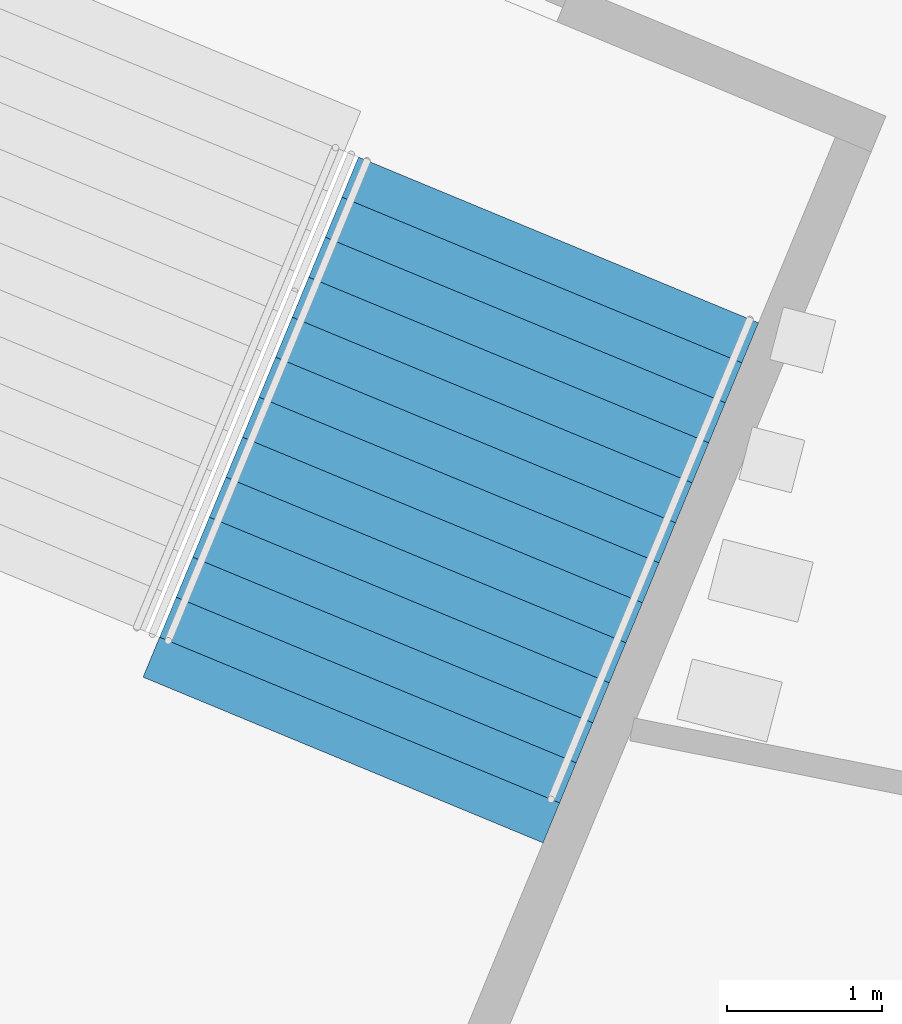
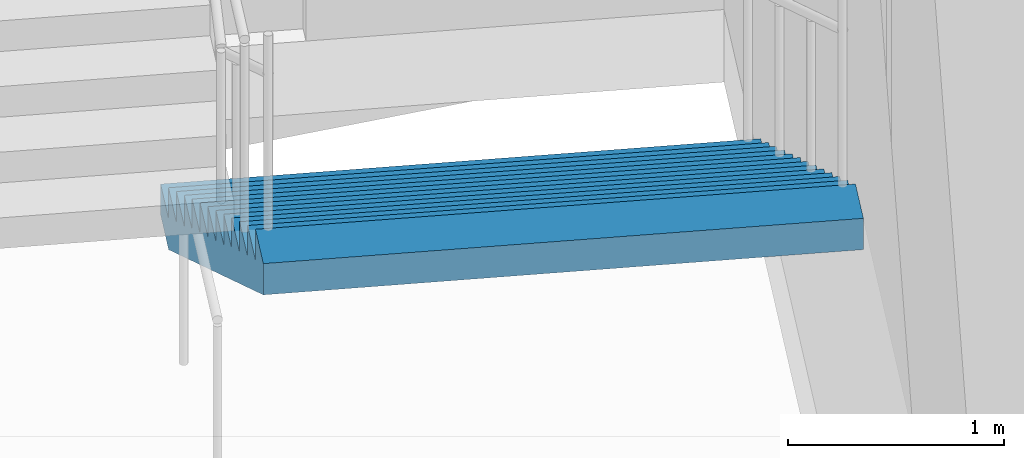
# One storey, part 86 of 177: 1 stair flight, 1 element without a shape of its own.
"""IFC4 building model written with IfcOpenShell, lengths in metres."""

from ifc_helpers import new_model, si_unit, direction, frame, origin, place, context, subcontext, project, spatial, faceted_brep, material, type_object, element, aggregate, save


model = new_model("IFC4")

# Units and contexts
model_context = context("Model", 3, precision=1e-05, world=origin(), true_north=direction((0.0, 1.0)))
body_context = subcontext(model_context, "Body", "Model", "MODEL_VIEW")
ifc_project = project(units=[si_unit("LENGTHUNIT", "METRE"), si_unit("AREAUNIT", "SQUARE_METRE"), si_unit("VOLUMEUNIT", "CUBIC_METRE"), si_unit("PLANEANGLEUNIT", "RADIAN"), si_unit("MASSUNIT", "GRAM", prefix="KILO")], contexts=[model_context])

# Site, building, storey
site_placement = place(None, origin())
site = spatial("IfcSite", under=ifc_project, at=site_placement, CompositionType="ELEMENT")
building_placement = place(site_placement, origin())
building = spatial("IfcBuilding", under=site, at=building_placement, Name="Ogive Plaza Stadium", CompositionType="ELEMENT")
storey_placement = place(building_placement, frame((0.0, 0.0, 18.0)))
storey = spatial("IfcBuildingStorey", under=building, at=storey_placement, Name="L04", CompositionType="ELEMENT", Elevation=18.0)

# Stair, stair flight
ifc_material_1 = material(Name="Concrete C40/50", Category="concrete")
stair_type = type_object("IfcStairType", Name="Exit stair", PredefinedType="STRAIGHT_RUN_STAIR", material=ifc_material_1)
stair_placement = place(storey_placement, origin())
stair = element("IfcStair", 1, at=stair_placement, inside=storey, type_object=stair_type, Name="Exit stair ST18B L04 to L05", PredefinedType="STRAIGHT_RUN_STAIR")
ifc_material_2 = material(Name="Concrete C40/50", Category="concrete")
stair_flight_type = type_object("IfcStairFlightType", Name="Exit stair flight", PredefinedType="STRAIGHT", material=ifc_material_2)
stair_flight_placement = place(storey_placement, frame((-46.118408203125, -93.319580078125, 0.0), z_axis=(0.0, 0.0, 1.0), x_axis=(-0.382683432365, -0.923879532511, 0.0)))
stair_flight = element("IfcStairFlight", 2, at=stair_flight_placement, type_object=stair_flight_type, Name="ST18B flight 1", NumberOfRisers=13, NumberOfTreads=12, PredefinedType="STRAIGHT", RiserHeight=0.173076923, TreadLength=0.28, context=body_context, shape_type="Brep", body=[
    faceted_brep([(0.28515625, -1.39990234375, 0.0), (3.639892578125, -1.39990234375, 2.07373046875), (3.639892578125, -1.39990234375, 2.25), (3.360107421875, -1.39990234375, 2.25), (3.360107421875, -1.39990234375, 2.076904296875), (3.080078125, -1.39990234375, 2.076904296875), (3.080078125, -1.39990234375, 1.90380859375), (2.800048828125, -1.39990234375, 1.90380859375), (2.800048828125, -1.39990234375, 1.730712890625), (2.52001953125, -1.39990234375, 1.730712890625), (2.52001953125, -1.39990234375, 1.5576171875), (2.239990234375, -1.39990234375, 1.5576171875), (2.239990234375, -1.39990234375, 1.384521484375), (1.9599609375, -1.39990234375, 1.384521484375), (1.9599609375, -1.39990234375, 1.21142578125), (1.679931640625, -1.39990234375, 1.21142578125), (1.679931640625, -1.39990234375, 1.03857421875), (1.39990234375, -1.39990234375, 1.03857421875), (1.39990234375, -1.39990234375, 0.865478515625), (1.1201171875, -1.39990234375, 0.865478515625), (1.1201171875, -1.39990234375, 0.6923828125), (0.840087890625, -1.39990234375, 0.6923828125), (0.840087890625, -1.39990234375, 0.519287109375), (0.56005859375, -1.39990234375, 0.519287109375), (0.56005859375, -1.39990234375, 0.34619140625), (0.280029296875, -1.39990234375, 0.34619140625), (0.280029296875, -1.39990234375, 0.173095703125), (0.0, -1.39990234375, 0.173095703125), (0.0, -1.39990234375, 0.0), (0.0, 1.39990234375, 0.0), (0.0, 1.39990234375, 0.173095703125), (0.280029296875, 1.39990234375, 0.173095703125), (0.280029296875, 1.39990234375, 0.34619140625), (0.56005859375, 1.39990234375, 0.34619140625), (0.56005859375, 1.39990234375, 0.519287109375), (0.840087890625, 1.39990234375, 0.519287109375), (0.840087890625, 1.39990234375, 0.6923828125), (1.1201171875, 1.39990234375, 0.6923828125), (1.1201171875, 1.39990234375, 0.865478515625), (1.39990234375, 1.39990234375, 0.865478515625), (1.39990234375, 1.39990234375, 1.03857421875), (1.679931640625, 1.39990234375, 1.03857421875), (1.679931640625, 1.39990234375, 1.21142578125), (1.9599609375, 1.39990234375, 1.21142578125), (1.9599609375, 1.39990234375, 1.384521484375), (2.239990234375, 1.39990234375, 1.384521484375), (2.239990234375, 1.39990234375, 1.5576171875), (2.52001953125, 1.39990234375, 1.5576171875), (2.52001953125, 1.39990234375, 1.730712890625), (2.800048828125, 1.39990234375, 1.730712890625), (2.800048828125, 1.39990234375, 1.90380859375), (3.080078125, 1.39990234375, 1.90380859375), (3.080078125, 1.39990234375, 2.076904296875), (3.360107421875, 1.39990234375, 2.076904296875), (3.360107421875, 1.39990234375, 2.25), (3.639892578125, 1.39990234375, 2.25), (3.639892578125, 1.39990234375, 2.07373046875), (0.28515625, 1.39990234375, 0.0), (0.28515625, -1.0888671875, 0.0), (3.639892578125, -1.0888671875, 2.07373046875), (0.28515625, -0.77783203125, 0.0), (3.639892578125, -0.77783203125, 2.07373046875), (0.28515625, -0.466796875, 0.0), (3.639892578125, -0.466796875, 2.07373046875), (0.28515625, -0.155517578125, 0.0), (3.639892578125, -0.155517578125, 2.07373046875), (0.28515625, 0.155517578125, 0.0), (3.639892578125, 0.155517578125, 2.07373046875), (0.28515625, 0.466796875, 0.0), (3.639892578125, 0.466796875, 2.07373046875), (0.28515625, 0.77783203125, 0.0), (3.639892578125, 0.77783203125, 2.07373046875), (0.28515625, 1.0888671875, 0.0), (3.639892578125, 1.0888671875, 2.07373046875), (3.639892578125, -1.0888671875, 2.25), (3.639892578125, -0.77783203125, 2.25), (3.639892578125, -0.466796875, 2.25), (3.639892578125, -0.155517578125, 2.25), (3.639892578125, 0.155517578125, 2.25), (3.639892578125, 0.466796875, 2.25), (3.639892578125, 0.77783203125, 2.25), (3.639892578125, 1.0888671875, 2.25), (3.360107421875, -1.0888671875, 2.25), (3.360107421875, -0.77783203125, 2.25), (3.360107421875, -0.466796875, 2.25), (3.360107421875, -0.155517578125, 2.25), (3.360107421875, 0.155517578125, 2.25), (3.360107421875, 0.466796875, 2.25), (3.360107421875, 0.77783203125, 2.25), (3.360107421875, 1.0888671875, 2.25), (3.360107421875, -1.0888671875, 2.076904296875), (3.360107421875, -0.77783203125, 2.076904296875), (3.360107421875, -0.466796875, 2.076904296875), (3.360107421875, -0.155517578125, 2.076904296875), (3.360107421875, 0.155517578125, 2.076904296875), (3.360107421875, 0.466796875, 2.076904296875), (3.360107421875, 0.77783203125, 2.076904296875), (3.360107421875, 1.0888671875, 2.076904296875), (3.080078125, -1.0888671875, 2.076904296875), (3.080078125, -0.77783203125, 2.076904296875), (3.080078125, -0.466796875, 2.076904296875), (3.080078125, -0.155517578125, 2.076904296875), (3.080078125, 0.155517578125, 2.076904296875), (3.080078125, 0.466796875, 2.076904296875), (3.080078125, 0.77783203125, 2.076904296875), (3.080078125, 1.0888671875, 2.076904296875), (3.080078125, -1.0888671875, 1.90380859375), (3.080078125, -0.77783203125, 1.90380859375), (3.080078125, -0.466796875, 1.90380859375), (3.080078125, -0.155517578125, 1.90380859375), (3.080078125, 0.155517578125, 1.90380859375), (3.080078125, 0.466796875, 1.90380859375), (3.080078125, 0.77783203125, 1.90380859375), (3.080078125, 1.0888671875, 1.90380859375), (2.800048828125, -1.0888671875, 1.90380859375), (2.800048828125, -0.77783203125, 1.90380859375), (2.800048828125, -0.466796875, 1.90380859375), (2.800048828125, -0.155517578125, 1.90380859375), (2.800048828125, 0.155517578125, 1.90380859375), (2.800048828125, 0.466796875, 1.90380859375), (2.800048828125, 0.77783203125, 1.90380859375), (2.800048828125, 1.0888671875, 1.90380859375), (2.800048828125, -1.0888671875, 1.730712890625), (2.800048828125, -0.77783203125, 1.730712890625), (2.800048828125, -0.466796875, 1.730712890625), (2.800048828125, -0.155517578125, 1.730712890625), (2.800048828125, 0.155517578125, 1.730712890625), (2.800048828125, 0.466796875, 1.730712890625), (2.800048828125, 0.77783203125, 1.730712890625), (2.800048828125, 1.0888671875, 1.730712890625), (2.52001953125, -1.0888671875, 1.730712890625), (2.52001953125, -0.77783203125, 1.730712890625), (2.52001953125, -0.466796875, 1.730712890625), (2.52001953125, -0.155517578125, 1.730712890625), (2.52001953125, 0.155517578125, 1.730712890625), (2.52001953125, 0.466796875, 1.730712890625), (2.52001953125, 0.77783203125, 1.730712890625), (2.52001953125, 1.0888671875, 1.730712890625), (2.52001953125, -1.0888671875, 1.5576171875), (2.52001953125, -0.77783203125, 1.5576171875), (2.52001953125, -0.466796875, 1.5576171875), (2.52001953125, -0.155517578125, 1.5576171875), (2.52001953125, 0.155517578125, 1.5576171875), (2.52001953125, 0.466796875, 1.5576171875), (2.52001953125, 0.77783203125, 1.5576171875), (2.52001953125, 1.0888671875, 1.5576171875), (2.239990234375, -1.0888671875, 1.5576171875), (2.239990234375, -0.77783203125, 1.5576171875), (2.239990234375, -0.466796875, 1.5576171875), (2.239990234375, -0.155517578125, 1.5576171875), (2.239990234375, 0.155517578125, 1.5576171875), (2.239990234375, 0.466796875, 1.5576171875), (2.239990234375, 0.77783203125, 1.5576171875), (2.239990234375, 1.0888671875, 1.5576171875), (2.239990234375, -1.0888671875, 1.384521484375), (2.239990234375, -0.77783203125, 1.384521484375), (2.239990234375, -0.466796875, 1.384521484375), (2.239990234375, -0.155517578125, 1.384521484375), (2.239990234375, 0.155517578125, 1.384521484375), (2.239990234375, 0.466796875, 1.384521484375), (2.239990234375, 0.77783203125, 1.384521484375), (2.239990234375, 1.0888671875, 1.384521484375), (1.9599609375, -1.0888671875, 1.384521484375), (1.9599609375, -0.77783203125, 1.384521484375), (1.9599609375, -0.466796875, 1.384521484375), (1.9599609375, -0.155517578125, 1.384521484375), (1.9599609375, 0.155517578125, 1.384521484375), (1.9599609375, 0.466796875, 1.384521484375), (1.9599609375, 0.77783203125, 1.384521484375), (1.9599609375, 1.0888671875, 1.384521484375), (1.9599609375, -1.0888671875, 1.21142578125), (1.9599609375, -0.77783203125, 1.21142578125), (1.9599609375, -0.466796875, 1.21142578125), (1.9599609375, -0.155517578125, 1.21142578125), (1.9599609375, 0.155517578125, 1.21142578125), (1.9599609375, 0.466796875, 1.21142578125), (1.9599609375, 0.77783203125, 1.21142578125), (1.9599609375, 1.0888671875, 1.21142578125), (1.679931640625, -1.0888671875, 1.21142578125), (1.679931640625, -0.77783203125, 1.21142578125), (1.679931640625, -0.466796875, 1.21142578125), (1.679931640625, -0.155517578125, 1.21142578125), (1.679931640625, 0.155517578125, 1.21142578125), (1.679931640625, 0.466796875, 1.21142578125), (1.679931640625, 0.77783203125, 1.21142578125), (1.679931640625, 1.0888671875, 1.21142578125), (1.679931640625, -1.0888671875, 1.03857421875), (1.679931640625, -0.77783203125, 1.03857421875), (1.679931640625, -0.466796875, 1.03857421875), (1.679931640625, -0.155517578125, 1.03857421875), (1.679931640625, 0.155517578125, 1.03857421875), (1.679931640625, 0.466796875, 1.03857421875), (1.679931640625, 0.77783203125, 1.03857421875), (1.679931640625, 1.0888671875, 1.03857421875), (1.39990234375, -1.0888671875, 1.03857421875), (1.39990234375, -0.77783203125, 1.03857421875), (1.39990234375, -0.466796875, 1.03857421875), (1.39990234375, -0.155517578125, 1.03857421875), (1.39990234375, 0.155517578125, 1.03857421875), (1.39990234375, 0.466796875, 1.03857421875), (1.39990234375, 0.77783203125, 1.03857421875), (1.39990234375, 1.0888671875, 1.03857421875), (1.39990234375, -1.0888671875, 0.865478515625), (1.39990234375, -0.77783203125, 0.865478515625), (1.39990234375, -0.466796875, 0.865478515625), (1.39990234375, -0.155517578125, 0.865478515625), (1.39990234375, 0.155517578125, 0.865478515625), (1.39990234375, 0.466796875, 0.865478515625), (1.39990234375, 0.77783203125, 0.865478515625), (1.39990234375, 1.0888671875, 0.865478515625), (1.1201171875, -1.0888671875, 0.865478515625), (1.1201171875, -0.77783203125, 0.865478515625), (1.1201171875, -0.466796875, 0.865478515625), (1.1201171875, -0.155517578125, 0.865478515625), (1.1201171875, 0.155517578125, 0.865478515625), (1.1201171875, 0.466796875, 0.865478515625), (1.1201171875, 0.77783203125, 0.865478515625), (1.1201171875, 1.0888671875, 0.865478515625), (1.1201171875, -1.0888671875, 0.6923828125), (1.1201171875, -0.77783203125, 0.6923828125), (1.1201171875, -0.466796875, 0.6923828125), (1.1201171875, -0.155517578125, 0.6923828125), (1.1201171875, 0.155517578125, 0.6923828125), (1.1201171875, 0.466796875, 0.6923828125), (1.1201171875, 0.77783203125, 0.6923828125), (1.1201171875, 1.0888671875, 0.6923828125), (0.840087890625, -1.0888671875, 0.6923828125), (0.840087890625, -0.77783203125, 0.6923828125), (0.840087890625, -0.466796875, 0.6923828125), (0.840087890625, -0.155517578125, 0.6923828125), (0.840087890625, 0.155517578125, 0.6923828125), (0.840087890625, 0.466796875, 0.6923828125), (0.840087890625, 0.77783203125, 0.6923828125), (0.840087890625, 1.0888671875, 0.6923828125), (0.840087890625, -1.0888671875, 0.519287109375), (0.840087890625, -0.77783203125, 0.519287109375), (0.840087890625, -0.466796875, 0.519287109375), (0.840087890625, -0.155517578125, 0.519287109375), (0.840087890625, 0.155517578125, 0.519287109375), (0.840087890625, 0.466796875, 0.519287109375), (0.840087890625, 0.77783203125, 0.519287109375), (0.840087890625, 1.0888671875, 0.519287109375), (0.56005859375, -1.0888671875, 0.519287109375), (0.56005859375, -0.77783203125, 0.519287109375), (0.56005859375, -0.466796875, 0.519287109375), (0.56005859375, -0.155517578125, 0.519287109375), (0.56005859375, 0.155517578125, 0.519287109375), (0.56005859375, 0.466796875, 0.519287109375), (0.56005859375, 0.77783203125, 0.519287109375), (0.56005859375, 1.0888671875, 0.519287109375), (0.56005859375, -1.0888671875, 0.34619140625), (0.56005859375, -0.77783203125, 0.34619140625), (0.56005859375, -0.466796875, 0.34619140625), (0.56005859375, -0.155517578125, 0.34619140625), (0.56005859375, 0.155517578125, 0.34619140625), (0.56005859375, 0.466796875, 0.34619140625), (0.56005859375, 0.77783203125, 0.34619140625), (0.56005859375, 1.0888671875, 0.34619140625), (0.280029296875, -1.0888671875, 0.34619140625), (0.280029296875, -0.77783203125, 0.34619140625), (0.280029296875, -0.466796875, 0.34619140625), (0.280029296875, -0.155517578125, 0.34619140625), (0.280029296875, 0.155517578125, 0.34619140625), (0.280029296875, 0.466796875, 0.34619140625), (0.280029296875, 0.77783203125, 0.34619140625), (0.280029296875, 1.0888671875, 0.34619140625), (0.280029296875, -1.0888671875, 0.173095703125), (0.280029296875, -0.77783203125, 0.173095703125), (0.280029296875, -0.466796875, 0.173095703125), (0.280029296875, -0.155517578125, 0.173095703125), (0.280029296875, 0.155517578125, 0.173095703125), (0.280029296875, 0.466796875, 0.173095703125), (0.280029296875, 0.77783203125, 0.173095703125), (0.280029296875, 1.0888671875, 0.173095703125), (0.0, -1.0888671875, 0.173095703125), (0.0, -0.77783203125, 0.173095703125), (0.0, -0.466796875, 0.173095703125), (0.0, -0.155517578125, 0.173095703125), (0.0, 0.155517578125, 0.173095703125), (0.0, 0.466796875, 0.173095703125), (0.0, 0.77783203125, 0.173095703125), (0.0, 1.0888671875, 0.173095703125), (0.0, -1.0888671875, 0.0), (0.0, -0.77783203125, 0.0), (0.0, -0.466796875, 0.0), (0.0, -0.155517578125, 0.0), (0.0, 0.155517578125, 0.0), (0.0, 0.466796875, 0.0), (0.0, 0.77783203125, 0.0), (0.0, 1.0888671875, 0.0)], [[[0, 1, 2, 3, 4, 5, 6, 7, 8, 9, 10, 11, 12, 13, 14, 15, 16, 17, 18, 19, 20, 21, 22, 23, 24, 25, 26, 27, 28]], [[29, 30, 31, 32, 33, 34, 35, 36, 37, 38, 39, 40, 41, 42, 43, 44, 45, 46, 47, 48, 49, 50, 51, 52, 53, 54, 55, 56, 57]], [[0, 58, 59, 1]], [[58, 60, 61, 59]], [[60, 62, 63, 61]], [[62, 64, 65, 63]], [[64, 66, 67, 65]], [[66, 68, 69, 67]], [[68, 70, 71, 69]], [[70, 72, 73, 71]], [[72, 57, 56, 73]], [[1, 59, 74, 2]], [[59, 61, 75, 74]], [[61, 63, 76, 75]], [[63, 65, 77, 76]], [[65, 67, 78, 77]], [[67, 69, 79, 78]], [[69, 71, 80, 79]], [[71, 73, 81, 80]], [[73, 56, 55, 81]], [[2, 74, 82, 3]], [[74, 75, 83, 82]], [[75, 76, 84, 83]], [[76, 77, 85, 84]], [[77, 78, 86, 85]], [[78, 79, 87, 86]], [[79, 80, 88, 87]], [[80, 81, 89, 88]], [[81, 55, 54, 89]], [[3, 82, 90, 4]], [[82, 83, 91, 90]], [[83, 84, 92, 91]], [[84, 85, 93, 92]], [[85, 86, 94, 93]], [[86, 87, 95, 94]], [[87, 88, 96, 95]], [[88, 89, 97, 96]], [[89, 54, 53, 97]], [[4, 90, 98, 5]], [[90, 91, 99, 98]], [[91, 92, 100, 99]], [[92, 93, 101, 100]], [[93, 94, 102, 101]], [[94, 95, 103, 102]], [[95, 96, 104, 103]], [[96, 97, 105, 104]], [[97, 53, 52, 105]], [[5, 98, 106, 6]], [[98, 99, 107, 106]], [[99, 100, 108, 107]], [[100, 101, 109, 108]], [[101, 102, 110, 109]], [[102, 103, 111, 110]], [[103, 104, 112, 111]], [[104, 105, 113, 112]], [[105, 52, 51, 113]], [[6, 106, 114, 7]], [[106, 107, 115, 114]], [[107, 108, 116, 115]], [[108, 109, 117, 116]], [[109, 110, 118, 117]], [[110, 111, 119, 118]], [[111, 112, 120, 119]], [[112, 113, 121, 120]], [[113, 51, 50, 121]], [[7, 114, 122, 8]], [[114, 115, 123, 122]], [[115, 116, 124, 123]], [[116, 117, 125, 124]], [[117, 118, 126, 125]], [[118, 119, 127, 126]], [[119, 120, 128, 127]], [[120, 121, 129, 128]], [[121, 50, 49, 129]], [[8, 122, 130, 9]], [[122, 123, 131, 130]], [[123, 124, 132, 131]], [[124, 125, 133, 132]], [[125, 126, 134, 133]], [[126, 127, 135, 134]], [[127, 128, 136, 135]], [[128, 129, 137, 136]], [[129, 49, 48, 137]], [[9, 130, 138, 10]], [[130, 131, 139, 138]], [[131, 132, 140, 139]], [[132, 133, 141, 140]], [[133, 134, 142, 141]], [[134, 135, 143, 142]], [[135, 136, 144, 143]], [[136, 137, 145, 144]], [[137, 48, 47, 145]], [[10, 138, 146, 11]], [[138, 139, 147, 146]], [[139, 140, 148, 147]], [[140, 141, 149, 148]], [[141, 142, 150, 149]], [[142, 143, 151, 150]], [[143, 144, 152, 151]], [[144, 145, 153, 152]], [[145, 47, 46, 153]], [[11, 146, 154, 12]], [[146, 147, 155, 154]], [[147, 148, 156, 155]], [[148, 149, 157, 156]], [[149, 150, 158, 157]], [[150, 151, 159, 158]], [[151, 152, 160, 159]], [[152, 153, 161, 160]], [[153, 46, 45, 161]], [[12, 154, 162, 13]], [[154, 155, 163, 162]], [[155, 156, 164, 163]], [[156, 157, 165, 164]], [[157, 158, 166, 165]], [[158, 159, 167, 166]], [[159, 160, 168, 167]], [[160, 161, 169, 168]], [[161, 45, 44, 169]], [[13, 162, 170, 14]], [[162, 163, 171, 170]], [[163, 164, 172, 171]], [[164, 165, 173, 172]], [[165, 166, 174, 173]], [[166, 167, 175, 174]], [[167, 168, 176, 175]], [[168, 169, 177, 176]], [[169, 44, 43, 177]], [[14, 170, 178, 15]], [[170, 171, 179, 178]], [[171, 172, 180, 179]], [[172, 173, 181, 180]], [[173, 174, 182, 181]], [[174, 175, 183, 182]], [[175, 176, 184, 183]], [[176, 177, 185, 184]], [[177, 43, 42, 185]], [[15, 178, 186, 16]], [[178, 179, 187, 186]], [[179, 180, 188, 187]], [[180, 181, 189, 188]], [[181, 182, 190, 189]], [[182, 183, 191, 190]], [[183, 184, 192, 191]], [[184, 185, 193, 192]], [[185, 42, 41, 193]], [[16, 186, 194, 17]], [[186, 187, 195, 194]], [[187, 188, 196, 195]], [[188, 189, 197, 196]], [[189, 190, 198, 197]], [[190, 191, 199, 198]], [[191, 192, 200, 199]], [[192, 193, 201, 200]], [[193, 41, 40, 201]], [[17, 194, 202, 18]], [[194, 195, 203, 202]], [[195, 196, 204, 203]], [[196, 197, 205, 204]], [[197, 198, 206, 205]], [[198, 199, 207, 206]], [[199, 200, 208, 207]], [[200, 201, 209, 208]], [[201, 40, 39, 209]], [[18, 202, 210, 19]], [[202, 203, 211, 210]], [[203, 204, 212, 211]], [[204, 205, 213, 212]], [[205, 206, 214, 213]], [[206, 207, 215, 214]], [[207, 208, 216, 215]], [[208, 209, 217, 216]], [[209, 39, 38, 217]], [[19, 210, 218, 20]], [[210, 211, 219, 218]], [[211, 212, 220, 219]], [[212, 213, 221, 220]], [[213, 214, 222, 221]], [[214, 215, 223, 222]], [[215, 216, 224, 223]], [[216, 217, 225, 224]], [[217, 38, 37, 225]], [[20, 218, 226, 21]], [[218, 219, 227, 226]], [[219, 220, 228, 227]], [[220, 221, 229, 228]], [[221, 222, 230, 229]], [[222, 223, 231, 230]], [[223, 224, 232, 231]], [[224, 225, 233, 232]], [[225, 37, 36, 233]], [[21, 226, 234, 22]], [[226, 227, 235, 234]], [[227, 228, 236, 235]], [[228, 229, 237, 236]], [[229, 230, 238, 237]], [[230, 231, 239, 238]], [[231, 232, 240, 239]], [[232, 233, 241, 240]], [[233, 36, 35, 241]], [[22, 234, 242, 23]], [[234, 235, 243, 242]], [[235, 236, 244, 243]], [[236, 237, 245, 244]], [[237, 238, 246, 245]], [[238, 239, 247, 246]], [[239, 240, 248, 247]], [[240, 241, 249, 248]], [[241, 35, 34, 249]], [[23, 242, 250, 24]], [[242, 243, 251, 250]], [[243, 244, 252, 251]], [[244, 245, 253, 252]], [[245, 246, 254, 253]], [[246, 247, 255, 254]], [[247, 248, 256, 255]], [[248, 249, 257, 256]], [[249, 34, 33, 257]], [[24, 250, 258, 25]], [[250, 251, 259, 258]], [[251, 252, 260, 259]], [[252, 253, 261, 260]], [[253, 254, 262, 261]], [[254, 255, 263, 262]], [[255, 256, 264, 263]], [[256, 257, 265, 264]], [[257, 33, 32, 265]], [[25, 258, 266, 26]], [[258, 259, 267, 266]], [[259, 260, 268, 267]], [[260, 261, 269, 268]], [[261, 262, 270, 269]], [[262, 263, 271, 270]], [[263, 264, 272, 271]], [[264, 265, 273, 272]], [[265, 32, 31, 273]], [[26, 266, 274, 27]], [[266, 267, 275, 274]], [[267, 268, 276, 275]], [[268, 269, 277, 276]], [[269, 270, 278, 277]], [[270, 271, 279, 278]], [[271, 272, 280, 279]], [[272, 273, 281, 280]], [[273, 31, 30, 281]], [[27, 274, 282, 28]], [[274, 275, 283, 282]], [[275, 276, 284, 283]], [[276, 277, 285, 284]], [[277, 278, 286, 285]], [[278, 279, 287, 286]], [[279, 280, 288, 287]], [[280, 281, 289, 288]], [[281, 30, 29, 289]], [[28, 282, 58, 0]], [[282, 283, 60, 58]], [[283, 284, 62, 60]], [[284, 285, 64, 62]], [[285, 286, 66, 64]], [[286, 287, 68, 66]], [[287, 288, 70, 68]], [[288, 289, 72, 70]], [[289, 29, 57, 72]]]),
])
aggregate(stair, [stair_flight])

save(model, "model.ifc")
